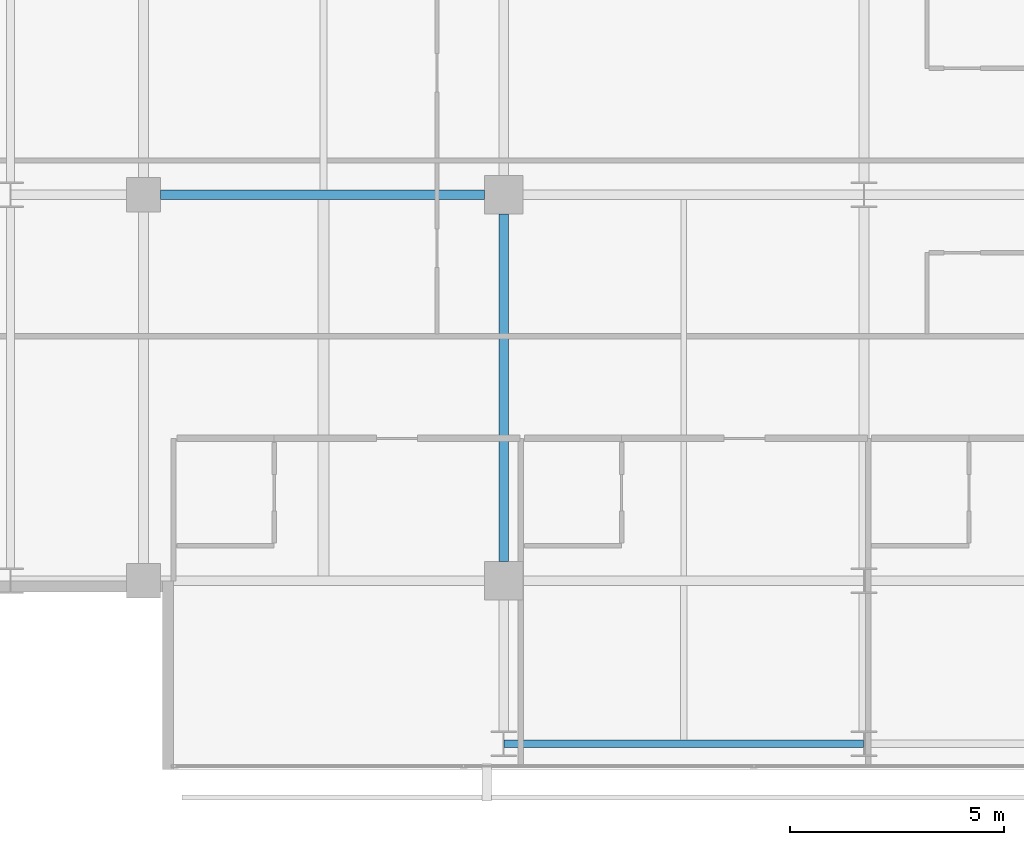
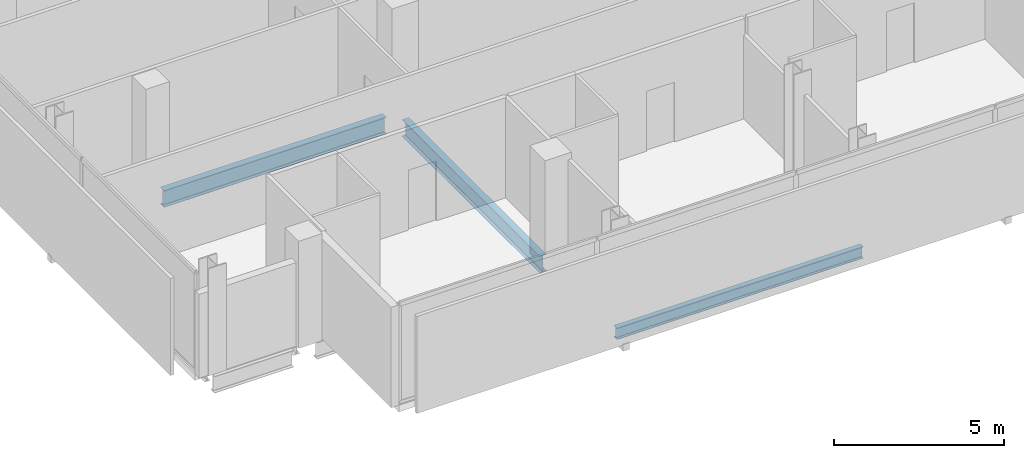
# One storey, part 5 of 34: 3 beams.
"""IFC4 building model written with IfcOpenShell, lengths in metres."""

from ifc_helpers import new_model, si_unit, direction, frame, origin, origin_2d, place, context, subcontext, project, spatial, i_section, extrude, material, material_profile, profile_set, type_object, element, save


model = new_model("IFC4")

# Units and contexts
model_context = context("Model", 3, precision=1e-05, world=origin(), true_north=direction((0.0, 1.0)))
body_context = subcontext(model_context, "Body", "Model", "MODEL_VIEW")
ifc_project = project(units=[si_unit("LENGTHUNIT", "METRE"), si_unit("AREAUNIT", "SQUARE_METRE"), si_unit("VOLUMEUNIT", "CUBIC_METRE"), si_unit("PLANEANGLEUNIT", "RADIAN"), si_unit("MASSUNIT", "GRAM", prefix="KILO")], contexts=[model_context])

# Site, building, storey
site_placement = place(None, origin())
site = spatial("IfcSite", under=ifc_project, at=site_placement, CompositionType="ELEMENT")
building_placement = place(site_placement, origin())
building = spatial("IfcBuilding", under=site, at=building_placement, Name="Maruvema Waterfront Hotel and Observation Tower", CompositionType="ELEMENT")
storey_placement = place(building_placement, frame((0.0, 0.0, 173.60009765625)))
storey = spatial("IfcBuildingStorey", under=building, at=storey_placement, Name="L42", CompositionType="ELEMENT", Elevation=173.60009765625)

# Beams
ifc_material_1 = material(Name="Steel ASTM A572 Grade 50", Category="steel")
ifc_material_profile_1 = material_profile(ifc_material_1, i_section(OverallWidth=0.180908203125, OverallDepth=0.4169921875, WebThickness=0.010986328125, FlangeThickness=0.018310546875, FilletRadius=0.014892578125, at=origin_2d()), Name="W410x85.0")
ifc_profile_set_1 = profile_set([ifc_material_profile_1], Name="Steel ASTM A572 Grade 50")
beam_type_1 = type_object("IfcBeamType", Name="Perimeter Spandrel Beam W410x85.0", PredefinedType="SPANDREL", material=ifc_profile_set_1)
beam_1_placement = place(storey_placement, frame((25.21240234375, 5.199951171875, -0.448486328125), z_axis=(1.0, 0.0, 0.0), x_axis=(0.0, 1.0, 0.0)))
element("IfcBeam", 1, at=beam_1_placement, inside=storey, type_object=beam_type_1, Name="L42 Floor Girder EW-01", PredefinedType="SPANDREL", context=body_context, shape_type="SweptSolid", body=[
    extrude(i_section(OverallWidth=0.180908203125, OverallDepth=0.4169921875, WebThickness=0.010986328125, FlangeThickness=0.018310546875, FilletRadius=0.014892578125, at=origin_2d()), origin(), (0.0, 0.0, 1.0), 8.375),
])
ifc_material_2 = material(Name="Steel ASTM A572 Grade 50", Category="steel")
ifc_material_profile_2 = material_profile(ifc_material_2, i_section(OverallWidth=0.22802734375, OverallDepth=0.60302734375, WebThickness=0.010498046875, FlangeThickness=0.014892578125, FilletRadius=0.01806640625, at=origin_2d()), Name="W610x101.0")
ifc_profile_set_2 = profile_set([ifc_material_profile_2], Name="Steel ASTM A572 Grade 50")
beam_type_2 = type_object("IfcBeamType", Name="Primary Floor Girder W610x101.0", PredefinedType="BEAM", material=ifc_profile_set_2)
beam_2_placement = place(storey_placement, frame((17.199951171875, 18.0, -0.54150390625), z_axis=(1.0, 0.0, 0.0), x_axis=(0.0, 1.0, 0.0)))
element("IfcBeam", 2, at=beam_2_placement, inside=storey, type_object=beam_type_2, Name="L42 Floor Girder EW-12", PredefinedType="BEAM", context=body_context, shape_type="SweptSolid", body=[
    extrude(i_section(OverallWidth=0.22802734375, OverallDepth=0.60302734375, WebThickness=0.010498046875, FlangeThickness=0.014892578125, FilletRadius=0.01806640625, at=origin_2d()), origin(), (0.0, 0.0, 1.0), 7.550048828125),
])
beam_3_placement = place(storey_placement, frame((25.199951171875, 9.449951171875, -0.54150390625), z_axis=(0.0, 1.0, 0.0), x_axis=(-1.0, 0.0, 0.0)))
element("IfcBeam", 3, at=beam_3_placement, inside=storey, type_object=beam_type_2, Name="L42 Floor Girder NS-10", PredefinedType="BEAM", context=body_context, shape_type="SweptSolid", body=[
    extrude(i_section(OverallWidth=0.22802734375, OverallDepth=0.60302734375, WebThickness=0.010498046875, FlangeThickness=0.014892578125, FilletRadius=0.01806640625, at=origin_2d()), origin(), (0.0, 0.0, 1.0), 8.10009765625),
])

save(model, "model.ifc")
